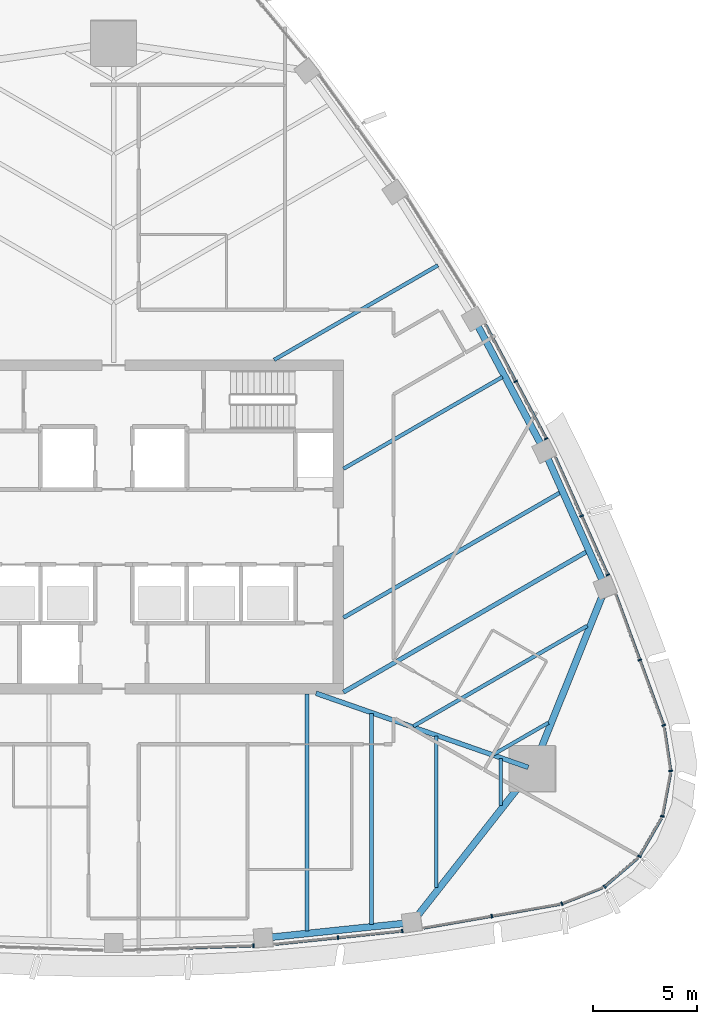
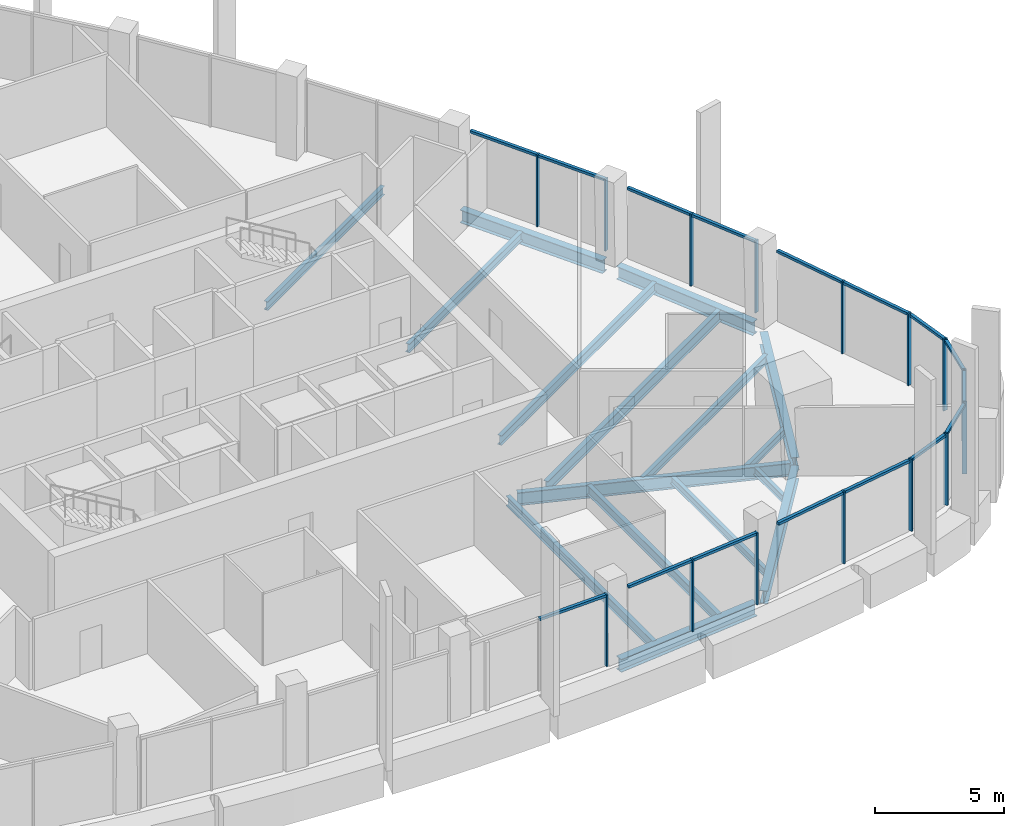
# One storey, part 4 of 19: 31 members, 16 beams, 11 elements without a shape of their own.
"""IFC4 building model written with IfcOpenShell, lengths in metres."""

from ifc_helpers import new_model, si_unit, direction, frame, origin, origin_2d, place, context, subcontext, project, spatial, rectangle, i_section, extrude, material, layer, layer_set, material_profile, profile_set, type_object, element, aggregate, save


model = new_model("IFC4")

# Units and contexts
model_context = context("Model", 3, precision=1e-05, world=origin(), true_north=direction((0.0, 1.0)))
body_context = subcontext(model_context, "Body", "Model", "MODEL_VIEW")
ifc_project = project(units=[si_unit("LENGTHUNIT", "METRE"), si_unit("AREAUNIT", "SQUARE_METRE"), si_unit("VOLUMEUNIT", "CUBIC_METRE"), si_unit("PLANEANGLEUNIT", "RADIAN"), si_unit("MASSUNIT", "GRAM", prefix="KILO")], contexts=[model_context])

# Site, building, storey
site_placement = place(None, origin())
site = spatial("IfcSite", under=ifc_project, at=site_placement, CompositionType="ELEMENT")
building_placement = place(site_placement, origin())
building = spatial("IfcBuilding", under=site, at=building_placement, Name="Sierra Prisma Convention Tower", CompositionType="ELEMENT")
storey_placement = place(building_placement, frame((0.0, 0.0, 311.0)))
storey = spatial("IfcBuildingStorey", under=building, at=storey_placement, Name="L71", CompositionType="ELEMENT", Elevation=311.0)

# Curtain wall, member
ifc_material_1 = material(Name="Aluminium and glass curtain wall", Category="aluminium")
ifc_layer = layer(ifc_material_1, 0.179931640625)
ifc_layer_set = layer_set([ifc_layer], Name="CW-1 Plain shaft curtain wall")
curtain_wall_type = type_object("IfcCurtainWallType", Name="CW-1 Plain shaft curtain wall", PredefinedType="NOTDEFINED", material=ifc_layer_set)
curtain_wall_1_placement = place(storey_placement, origin())
curtain_wall_1 = element("IfcCurtainWall", 1, at=curtain_wall_1_placement, inside=storey, type_object=curtain_wall_type, Name="CW-1 S4 L71", PredefinedType="NOTDEFINED")
ifc_material_2 = material(Name="Aluminium 6063-T6 bronze anodised", Category="aluminium")
ifc_material_profile_1 = material_profile(ifc_material_2, rectangle(XDim=0.179931640625, YDim=0.070068359375, at=origin_2d()), Name="ALU MULLION 70x180")
ifc_profile_set_1 = profile_set([ifc_material_profile_1], Name="Aluminium 6063-T6 bronze anodised")
member_type_1 = type_object("IfcMemberType", Name="CW mullion bronze", PredefinedType="MULLION", material=ifc_profile_set_1)
member_1_placement = place(storey_placement, frame((6.69091796875, -20.047607421875, 0.0), z_axis=(0.0, 0.0, 1.0), x_axis=(-0.034510842539, 0.999404323458, 0.0)))
member_1 = element("IfcMember", 2, at=member_1_placement, type_object=member_type_1, Name="CW-1 mullion S4.3", PredefinedType="MULLION", context=body_context, shape_type="SweptSolid", body=[
    extrude(rectangle(XDim=0.179931640625, YDim=0.070068359375, at=origin_2d()), origin(), (0.0, 0.0, 1.0), 3.39990234375),
])

# Curtain wall, members
curtain_wall_2_placement = place(storey_placement, origin())
curtain_wall_2 = element("IfcCurtainWall", 3, at=curtain_wall_2_placement, inside=storey, type_object=curtain_wall_type, Name="CW-1 S5 L71", PredefinedType="NOTDEFINED")
member_2_placement = place(storey_placement, frame((10.74267578125, -19.660888671875, 0.0), z_axis=(0.0, 0.0, 1.0), x_axis=(-0.103368118187, 0.994643168248, 0.0)))
member_2 = element("IfcMember", 4, at=member_2_placement, type_object=member_type_1, Name="CW-1 mullion S5.2", PredefinedType="MULLION", context=body_context, shape_type="SweptSolid", body=[
    extrude(rectangle(XDim=0.179931640625, YDim=0.070068359375, at=origin_2d()), origin(), (0.0, 0.0, 1.0), 3.39990234375),
])
member_3_placement = place(storey_placement, frame((13.815185546875, -19.341552734375, 0.0), z_axis=(0.0, 0.0, 1.0), x_axis=(-0.103368118187, 0.994643168248, 0.0)))
member_3 = element("IfcMember", 5, at=member_3_placement, type_object=member_type_1, Name="CW-1 mullion S5.3", PredefinedType="MULLION", context=body_context, shape_type="SweptSolid", body=[
    extrude(rectangle(XDim=0.179931640625, YDim=0.070068359375, at=origin_2d()), origin(), (0.0, 0.0, 1.0), 3.39990234375),
])

# Curtain wall, member
curtain_wall_3_placement = place(storey_placement, origin())
curtain_wall_3 = element("IfcCurtainWall", 6, at=curtain_wall_3_placement, inside=storey, type_object=curtain_wall_type, Name="CW-1 S6 L71", PredefinedType="NOTDEFINED")
member_4_placement = place(storey_placement, frame((18.105224609375, -18.630859375, 0.0), z_axis=(0.0, 0.0, 1.0), x_axis=(-0.171732948843, 0.985143539938, 0.0)))
member_4 = element("IfcMember", 7, at=member_4_placement, type_object=member_type_1, Name="CW-1 mullion S6.2", PredefinedType="MULLION", context=body_context, shape_type="SweptSolid", body=[
    extrude(rectangle(XDim=0.179931640625, YDim=0.070068359375, at=origin_2d()), origin(), (0.0, 0.0, 1.0), 3.39990234375),
])

curtain_wall_4_placement = place(storey_placement, origin())
curtain_wall_4 = element("IfcCurtainWall", 8, at=curtain_wall_4_placement, inside=storey, type_object=curtain_wall_type, Name="CW-1 SE1 L71", PredefinedType="NOTDEFINED")
member_5_placement = place(storey_placement, frame((21.45849609375, -18.0390625, 0.0), z_axis=(0.0, 0.0, 1.0), x_axis=(-0.366388331574, 0.930462030653, 0.0)))
member_5 = element("IfcMember", 9, at=member_5_placement, type_object=member_type_1, Name="CW-1 mullion SE1.1", PredefinedType="MULLION", context=body_context, shape_type="SweptSolid", body=[
    extrude(rectangle(XDim=0.179931640625, YDim=0.070068359375, at=origin_2d()), origin(), (0.0, 0.0, 1.0), 3.39990234375),
])

curtain_wall_5_placement = place(storey_placement, origin())
curtain_wall_5 = element("IfcCurtainWall", 10, at=curtain_wall_5_placement, inside=storey, type_object=curtain_wall_type, Name="CW-1 SE2 L71", PredefinedType="NOTDEFINED")
member_6_placement = place(storey_placement, frame((23.5087890625, -17.219482421875, 0.0), z_axis=(0.0, 0.0, 1.0), x_axis=(-0.652713791591, 0.757604584375, 0.0)))
member_6 = element("IfcMember", 11, at=member_6_placement, type_object=member_type_1, Name="CW-1 mullion SE2.1", PredefinedType="MULLION", context=body_context, shape_type="SweptSolid", body=[
    extrude(rectangle(XDim=0.179931640625, YDim=0.070068359375, at=origin_2d()), origin(), (0.0, 0.0, 1.0), 3.39990234375),
])

curtain_wall_6_placement = place(storey_placement, origin())
curtain_wall_6 = element("IfcCurtainWall", 12, at=curtain_wall_6_placement, inside=storey, type_object=curtain_wall_type, Name="CW-1 SE3 L71", PredefinedType="NOTDEFINED")
member_7_placement = place(storey_placement, frame((25.173828125, -15.76953125, 0.0), z_axis=(0.0, 0.0, 1.0), x_axis=(-0.866025403784, 0.5, 0.0)))
member_7 = element("IfcMember", 13, at=member_7_placement, type_object=member_type_1, Name="CW-1 mullion SE3.1", PredefinedType="MULLION", context=body_context, shape_type="SweptSolid", body=[
    extrude(rectangle(XDim=0.179931640625, YDim=0.070068359375, at=origin_2d()), origin(), (0.0, 0.0, 1.0), 3.39990234375),
])

curtain_wall_7_placement = place(storey_placement, origin())
curtain_wall_7 = element("IfcCurtainWall", 14, at=curtain_wall_7_placement, inside=storey, type_object=curtain_wall_type, Name="CW-1 SE4 L71", PredefinedType="NOTDEFINED")
member_8_placement = place(storey_placement, frame((26.267822265625, -13.851806640625, 0.0), z_axis=(0.0, 0.0, 1.0), x_axis=(-0.982461711888, 0.186464432731, 0.0)))
member_8 = element("IfcMember", 15, at=member_8_placement, type_object=member_type_1, Name="CW-1 mullion SE4.1", PredefinedType="MULLION", context=body_context, shape_type="SweptSolid", body=[
    extrude(rectangle(XDim=0.179931640625, YDim=0.070068359375, at=origin_2d()), origin(), (0.0, 0.0, 1.0), 3.39990234375),
])

curtain_wall_8_placement = place(storey_placement, origin())
curtain_wall_8 = element("IfcCurtainWall", 16, at=curtain_wall_8_placement, inside=storey, type_object=curtain_wall_type, Name="CW-1 SE5 L71", PredefinedType="NOTDEFINED")
member_9_placement = place(storey_placement, frame((26.668212890625, -11.680419921875, 0.0), z_axis=(0.0, 0.0, 1.0), x_axis=(-0.988997921589, -0.147929412533, 0.0)))
member_9 = element("IfcMember", 17, at=member_9_placement, type_object=member_type_1, Name="CW-1 mullion SE5.1", PredefinedType="MULLION", context=body_context, shape_type="SweptSolid", body=[
    extrude(rectangle(XDim=0.179931640625, YDim=0.070068359375, at=origin_2d()), origin(), (0.0, 0.0, 1.0), 3.39990234375),
])

# Curtain wall, members
curtain_wall_9_placement = place(storey_placement, origin())
curtain_wall_9 = element("IfcCurtainWall", 18, at=curtain_wall_9_placement, inside=storey, type_object=curtain_wall_type, Name="CW-1 NE1 L71", PredefinedType="NOTDEFINED")
member_10_placement = place(storey_placement, frame((26.33447265625, -9.49658203125, 0.0), z_axis=(0.0, 0.0, 1.0), x_axis=(-0.939025806382, -0.343846673604, 0.0)))
member_10 = element("IfcMember", 19, at=member_10_placement, type_object=member_type_1, Name="CW-1 mullion NE1.1", PredefinedType="MULLION", context=body_context, shape_type="SweptSolid", body=[
    extrude(rectangle(XDim=0.179931640625, YDim=0.070068359375, at=origin_2d()), origin(), (0.0, 0.0, 1.0), 3.39990234375),
])
member_11_placement = place(storey_placement, frame((25.187255859375, -6.3642578125, 0.0), z_axis=(0.0, 0.0, 1.0), x_axis=(-0.939025806382, -0.343846673604, 0.0)))
member_11 = element("IfcMember", 20, at=member_11_placement, type_object=member_type_1, Name="CW-1 mullion NE1.2", PredefinedType="MULLION", context=body_context, shape_type="SweptSolid", body=[
    extrude(rectangle(XDim=0.179931640625, YDim=0.070068359375, at=origin_2d()), origin(), (0.0, 0.0, 1.0), 3.39990234375),
])

curtain_wall_10_placement = place(storey_placement, origin())
curtain_wall_10 = element("IfcCurtainWall", 21, at=curtain_wall_10_placement, inside=storey, type_object=curtain_wall_type, Name="CW-1 NE2 L71", PredefinedType="NOTDEFINED")
member_12_placement = place(storey_placement, frame((23.657958984375, -2.293701171875, 0.0), z_axis=(0.0, 0.0, 1.0), x_axis=(-0.913070310497, -0.407802167832, 0.0)))
member_12 = element("IfcMember", 22, at=member_12_placement, type_object=member_type_1, Name="CW-1 mullion NE2.1", PredefinedType="MULLION", context=body_context, shape_type="SweptSolid", body=[
    extrude(rectangle(XDim=0.179931640625, YDim=0.070068359375, at=origin_2d()), origin(), (0.0, 0.0, 1.0), 3.39990234375),
])
member_13_placement = place(storey_placement, frame((22.398193359375, 0.527099609375, 0.0), z_axis=(0.0, 0.0, 1.0), x_axis=(-0.913070310497, -0.407802167832, 0.0)))
member_13 = element("IfcMember", 23, at=member_13_placement, type_object=member_type_1, Name="CW-1 mullion NE2.2", PredefinedType="MULLION", context=body_context, shape_type="SweptSolid", body=[
    extrude(rectangle(XDim=0.179931640625, YDim=0.070068359375, at=origin_2d()), origin(), (0.0, 0.0, 1.0), 3.39990234375),
])

curtain_wall_11_placement = place(storey_placement, origin())
curtain_wall_11 = element("IfcCurtainWall", 24, at=curtain_wall_11_placement, inside=storey, type_object=curtain_wall_type, Name="CW-1 NE3 L71", PredefinedType="NOTDEFINED")
member_14_placement = place(storey_placement, frame((20.70703125, 4.229248046875, 0.0), z_axis=(0.0, 0.0, 1.0), x_axis=(-0.882764954036, -0.469814895384, 0.0)))
member_14 = element("IfcMember", 25, at=member_14_placement, type_object=member_type_1, Name="CW-1 mullion NE3.1", PredefinedType="MULLION", context=body_context, shape_type="SweptSolid", body=[
    extrude(rectangle(XDim=0.179931640625, YDim=0.070068359375, at=origin_2d()), origin(), (0.0, 0.0, 1.0), 3.39990234375),
])
member_15_placement = place(storey_placement, frame((19.248291015625, 6.97021484375, 0.0), z_axis=(0.0, 0.0, 1.0), x_axis=(-0.882764954036, -0.469814895384, 0.0)))
member_15 = element("IfcMember", 26, at=member_15_placement, type_object=member_type_1, Name="CW-1 mullion NE3.2", PredefinedType="MULLION", context=body_context, shape_type="SweptSolid", body=[
    extrude(rectangle(XDim=0.179931640625, YDim=0.070068359375, at=origin_2d()), origin(), (0.0, 0.0, 1.0), 3.39990234375),
])

# Member
ifc_material_3 = material(Name="Aluminium 6063-T6 bronze anodised", Category="aluminium")
ifc_material_profile_2 = material_profile(ifc_material_3, rectangle(XDim=0.139892578125, YDim=0.1201171875, at=origin_2d()), Name="ALU TRANSOM 120x140")
ifc_profile_set_2 = profile_set([ifc_material_profile_2], Name="Aluminium 6063-T6 bronze anodised")
member_type_2 = type_object("IfcMemberType", Name="CW transom bronze", PredefinedType="USERDEFINED", material=ifc_profile_set_2)
member_16_placement = place(storey_placement, frame((3.622802734375, -20.153564453125, 3.340087890625), z_axis=(0.999404374129, 0.034509375121, 0.0), x_axis=(-0.034509375121, 0.999404374129, 0.0)))
member_16 = element("IfcMember", 27, at=member_16_placement, type_object=member_type_2, Name="CW-1 transom S4.2", ObjectType="TRANSOM", PredefinedType="USERDEFINED", context=body_context, shape_type="SweptSolid", body=[
    extrude(rectangle(XDim=0.139892578125, YDim=0.1201171875, at=origin_2d()), origin(), (0.0, 0.0, 1.0), 3.034912109375),
])

aggregate(curtain_wall_1, [member_1, member_16])

member_17_placement = place(storey_placement, frame((7.704833984375, -19.9765625, 3.340087890625), z_axis=(0.994645457382, 0.103346088987, 0.0), x_axis=(-0.103346088987, 0.994645457382, 0.0)))
member_17 = element("IfcMember", 28, at=member_17_placement, type_object=member_type_2, Name="CW-1 transom S5.1", ObjectType="TRANSOM", PredefinedType="USERDEFINED", context=body_context, shape_type="SweptSolid", body=[
    extrude(rectangle(XDim=0.139892578125, YDim=0.1201171875, at=origin_2d()), origin(), (0.0, 0.0, 1.0), 3.01904296875),
])

member_18_placement = place(storey_placement, frame((10.77734375, -19.6572265625, 3.340087890625), z_axis=(0.994645457382, 0.103346088987, 0.0), x_axis=(-0.103346088987, 0.994645457382, 0.0)))
member_18 = element("IfcMember", 29, at=member_18_placement, type_object=member_type_2, Name="CW-1 transom S5.2", ObjectType="TRANSOM", PredefinedType="USERDEFINED", context=body_context, shape_type="SweptSolid", body=[
    extrude(rectangle(XDim=0.139892578125, YDim=0.1201171875, at=origin_2d()), origin(), (0.0, 0.0, 1.0), 3.01904296875),
])

aggregate(curtain_wall_2, [member_2, member_3, member_17, member_18])

member_19_placement = place(storey_placement, frame((14.853271484375, -19.19775390625, 3.340087890625), z_axis=(0.985135948109, 0.17177649357, 0.0), x_axis=(-0.17177649357, 0.985135948109, 0.0)))
member_19 = element("IfcMember", 30, at=member_19_placement, type_object=member_type_2, Name="CW-1 transom S6.1", ObjectType="TRANSOM", PredefinedType="USERDEFINED", context=body_context, shape_type="SweptSolid", body=[
    extrude(rectangle(XDim=0.139892578125, YDim=0.1201171875, at=origin_2d()), origin(), (0.0, 0.0, 1.0), 3.26611328125),
])

member_20_placement = place(storey_placement, frame((18.1396484375, -18.624755859375, 3.340087890625), z_axis=(0.985148595108, 0.171703947413, 0.0), x_axis=(-0.171703947413, 0.985148595108, 0.0)))
member_20 = element("IfcMember", 31, at=member_20_placement, type_object=member_type_2, Name="CW-1 transom S6.2", ObjectType="TRANSOM", PredefinedType="USERDEFINED", context=body_context, shape_type="SweptSolid", body=[
    extrude(rectangle(XDim=0.139892578125, YDim=0.1201171875, at=origin_2d()), origin(), (0.0, 0.0, 1.0), 3.26611328125),
])

aggregate(curtain_wall_3, [member_4, member_19, member_20])

member_21_placement = place(storey_placement, frame((21.4912109375, -18.026123046875, 3.340087890625), z_axis=(0.930464454882, 0.366382175059, 0.0), x_axis=(-0.366382175059, 0.930464454882, 0.0)))
member_21 = element("IfcMember", 32, at=member_21_placement, type_object=member_type_2, Name="CW-1 transom SE1.1", ObjectType="TRANSOM", PredefinedType="USERDEFINED", context=body_context, shape_type="SweptSolid", body=[
    extrude(rectangle(XDim=0.139892578125, YDim=0.1201171875, at=origin_2d()), origin(), (0.0, 0.0, 1.0), 2.069580078125),
])

aggregate(curtain_wall_4, [member_5, member_21])

member_22_placement = place(storey_placement, frame((23.53515625, -17.196533203125, 3.340087890625), z_axis=(0.757588949095, 0.652731939014, 0.0), x_axis=(-0.652731939014, 0.757588949095, 0.0)))
member_22 = element("IfcMember", 33, at=member_22_placement, type_object=member_type_2, Name="CW-1 transom SE2.1", ObjectType="TRANSOM", PredefinedType="USERDEFINED", context=body_context, shape_type="SweptSolid", body=[
    extrude(rectangle(XDim=0.139892578125, YDim=0.1201171875, at=origin_2d()), origin(), (0.0, 0.0, 1.0), 2.06982421875),
])

aggregate(curtain_wall_5, [member_6, member_22])

member_23_placement = place(storey_placement, frame((25.19140625, -15.7392578125, 3.340087890625), z_axis=(0.500008344384, 0.866020586098, 0.0), x_axis=(-0.866020586098, 0.500008344384, 0.0)))
member_23 = element("IfcMember", 34, at=member_23_placement, type_object=member_type_2, Name="CW-1 transom SE3.1", ObjectType="TRANSOM", PredefinedType="USERDEFINED", context=body_context, shape_type="SweptSolid", body=[
    extrude(rectangle(XDim=0.139892578125, YDim=0.1201171875, at=origin_2d()), origin(), (0.0, 0.0, 1.0), 2.06982421875),
])

aggregate(curtain_wall_6, [member_7, member_23])

member_24_placement = place(storey_placement, frame((26.2744140625, -13.8173828125, 3.340087890625), z_axis=(0.186374877338, 0.982478704653, 0.0), x_axis=(-0.982478704653, 0.186374877338, 0.0)))
member_24 = element("IfcMember", 35, at=member_24_placement, type_object=member_type_2, Name="CW-1 transom SE4.1", ObjectType="TRANSOM", PredefinedType="USERDEFINED", context=body_context, shape_type="SweptSolid", body=[
    extrude(rectangle(XDim=0.139892578125, YDim=0.1201171875, at=origin_2d()), origin(), (0.0, 0.0, 1.0), 2.06982421875),
])

aggregate(curtain_wall_7, [member_8, member_24])

member_25_placement = place(storey_placement, frame((26.662841796875, -11.645751953125, 3.340087890625), z_axis=(-0.147925119151, 0.988998563763, 0.0), x_axis=(-0.988998563763, -0.147925119151, 0.0)))
member_25 = element("IfcMember", 36, at=member_25_placement, type_object=member_type_2, Name="CW-1 transom SE5.1", ObjectType="TRANSOM", PredefinedType="USERDEFINED", context=body_context, shape_type="SweptSolid", body=[
    extrude(rectangle(XDim=0.139892578125, YDim=0.1201171875, at=origin_2d()), origin(), (0.0, 0.0, 1.0), 2.069580078125),
])

aggregate(curtain_wall_8, [member_9, member_25])

member_26_placement = place(storey_placement, frame((26.322265625, -9.4638671875, 3.340087890625), z_axis=(-0.34378895652, 0.939046938856, 0.0), x_axis=(-0.939046938856, -0.34378895652, 0.0)))
member_26 = element("IfcMember", 37, at=member_26_placement, type_object=member_type_2, Name="CW-1 transom NE1.1", ObjectType="TRANSOM", PredefinedType="USERDEFINED", context=body_context, shape_type="SweptSolid", body=[
    extrude(rectangle(XDim=0.139892578125, YDim=0.1201171875, at=origin_2d()), origin(), (0.0, 0.0, 1.0), 3.265869140625),
])

member_27_placement = place(storey_placement, frame((25.17529296875, -6.331298828125, 3.340087890625), z_axis=(-0.343854871841, 0.939022804362, 0.0), x_axis=(-0.939022804362, -0.343854871841, 0.0)))
member_27 = element("IfcMember", 38, at=member_27_placement, type_object=member_type_2, Name="CW-1 transom NE1.2", ObjectType="TRANSOM", PredefinedType="USERDEFINED", context=body_context, shape_type="SweptSolid", body=[
    extrude(rectangle(XDim=0.139892578125, YDim=0.1201171875, at=origin_2d()), origin(), (0.0, 0.0, 1.0), 3.26611328125),
])

aggregate(curtain_wall_9, [member_10, member_11, member_26, member_27])

member_28_placement = place(storey_placement, frame((23.643798828125, -2.26171875, 3.340087890625), z_axis=(-0.407780867068, 0.913079823703, 0.0), x_axis=(-0.913079823703, -0.407780867068, 0.0)))
member_28 = element("IfcMember", 39, at=member_28_placement, type_object=member_type_2, Name="CW-1 transom NE2.1", ObjectType="TRANSOM", PredefinedType="USERDEFINED", context=body_context, shape_type="SweptSolid", body=[
    extrude(rectangle(XDim=0.139892578125, YDim=0.1201171875, at=origin_2d()), origin(), (0.0, 0.0, 1.0), 3.019287109375),
])

member_29_placement = place(storey_placement, frame((22.384033203125, 0.558837890625, 3.340087890625), z_axis=(-0.407848278552, 0.913049714792, 0.0), x_axis=(-0.913049714792, -0.407848278552, 0.0)))
member_29 = element("IfcMember", 40, at=member_29_placement, type_object=member_type_2, Name="CW-1 transom NE2.2", ObjectType="TRANSOM", PredefinedType="USERDEFINED", context=body_context, shape_type="SweptSolid", body=[
    extrude(rectangle(XDim=0.139892578125, YDim=0.1201171875, at=origin_2d()), origin(), (0.0, 0.0, 1.0), 3.019287109375),
])

aggregate(curtain_wall_10, [member_12, member_13, member_28, member_29])

member_30_placement = place(storey_placement, frame((20.690673828125, 4.260009765625, 3.340087890625), z_axis=(-0.469786395806, 0.88278012116, 0.0), x_axis=(-0.88278012116, -0.469786395806, 0.0)))
member_30 = element("IfcMember", 41, at=member_30_placement, type_object=member_type_2, Name="CW-1 transom NE3.1", ObjectType="TRANSOM", PredefinedType="USERDEFINED", context=body_context, shape_type="SweptSolid", body=[
    extrude(rectangle(XDim=0.139892578125, YDim=0.1201171875, at=origin_2d()), origin(), (0.0, 0.0, 1.0), 3.034912109375),
])

member_31_placement = place(storey_placement, frame((19.23193359375, 7.0009765625, 3.340087890625), z_axis=(-0.469786395806, 0.88278012116, 0.0), x_axis=(-0.88278012116, -0.469786395806, 0.0)))
member_31 = element("IfcMember", 42, at=member_31_placement, type_object=member_type_2, Name="CW-1 transom NE3.2", ObjectType="TRANSOM", PredefinedType="USERDEFINED", context=body_context, shape_type="SweptSolid", body=[
    extrude(rectangle(XDim=0.139892578125, YDim=0.1201171875, at=origin_2d()), origin(), (0.0, 0.0, 1.0), 3.034912109375),
])

aggregate(curtain_wall_11, [member_14, member_15, member_30, member_31])

# Beams
ifc_material_4 = material(Name="Steel ASTM A992 Gr 50", Category="steel")
ifc_material_profile_3 = material_profile(ifc_material_4, i_section(OverallWidth=0.172119140625, OverallDepth=0.35791015625, WebThickness=0.0078125, FlangeThickness=0.01318359375, at=origin_2d()), Name="W360x57")
ifc_profile_set_3 = profile_set([ifc_material_profile_3], Name="Steel ASTM A992 Gr 50")
beam_type_1 = type_object("IfcBeamType", Name="Floor joist W360x57", PredefinedType="JOIST", material=ifc_profile_set_3)
beam_1_placement = place(storey_placement, frame((15.4365234375, -17.2705078125, -0.3291015625), z_axis=(0.0, 1.0, 0.0), x_axis=(-1.0, 0.0, 0.0)))
element("IfcBeam", 43, at=beam_1_placement, inside=storey, type_object=beam_type_1, Name="Floor joist L71 S12", PredefinedType="JOIST", context=body_context, shape_type="SweptSolid", body=[
    extrude(i_section(OverallWidth=0.172119140625, OverallDepth=0.35791015625, WebThickness=0.0078125, FlangeThickness=0.01318359375, at=origin_2d()), origin(), (0.0, 0.0, 1.0), 7.253173828125),
])
beam_2_placement = place(storey_placement, frame((18.523681640625, -13.338623046875, -0.3291015625), z_axis=(0.0, 1.0, 0.0), x_axis=(-1.0, 0.0, 0.0)))
element("IfcBeam", 44, at=beam_2_placement, inside=storey, type_object=beam_type_1, Name="Floor joist L71 S13", PredefinedType="JOIST", context=body_context, shape_type="SweptSolid", body=[
    extrude(i_section(OverallWidth=0.172119140625, OverallDepth=0.35791015625, WebThickness=0.0078125, FlangeThickness=0.01318359375, at=origin_2d()), origin(), (0.0, 0.0, 1.0), 2.2431640625),
])
beam_3_placement = place(storey_placement, frame((20.8134765625, -9.37255859375, -0.3291015625), z_axis=(-0.865997239347, -0.500048779063, 0.0), x_axis=(0.500048779063, -0.865997239347, 0.0)))
element("IfcBeam", 45, at=beam_3_placement, inside=storey, type_object=beam_type_1, Name="Floor joist L71 NE01", PredefinedType="JOIST", context=body_context, shape_type="SweptSolid", body=[
    extrude(i_section(OverallWidth=0.172119140625, OverallDepth=0.35791015625, WebThickness=0.0078125, FlangeThickness=0.01318359375, at=origin_2d()), origin(), (0.0, 0.0, 1.0), 3.022216796875),
])
ifc_material_5 = material(Name="Steel ASTM A992 Gr 50", Category="steel")
ifc_material_profile_4 = material_profile(ifc_material_5, i_section(OverallWidth=0.177978515625, OverallDepth=0.406982421875, WebThickness=0.0078125, FlangeThickness=0.0126953125, at=origin_2d()), Name="W410x60")
ifc_profile_set_4 = profile_set([ifc_material_profile_4], Name="Steel ASTM A992 Gr 50")
beam_type_2 = type_object("IfcBeamType", Name="Floor joist W410x60", PredefinedType="JOIST", material=ifc_profile_set_4)
beam_4_placement = place(storey_placement, frame((22.675048828125, -4.733154296875, -0.353515625), z_axis=(-0.866029540839, -0.499992834343, 0.0), x_axis=(0.499992834343, -0.866029540839, 0.0)))
element("IfcBeam", 46, at=beam_4_placement, inside=storey, type_object=beam_type_2, Name="Floor joist L71 NE02", PredefinedType="JOIST", context=body_context, shape_type="SweptSolid", body=[
    extrude(i_section(OverallWidth=0.177978515625, OverallDepth=0.406982421875, WebThickness=0.0078125, FlangeThickness=0.0126953125, at=origin_2d()), origin(), (0.0, 0.0, 1.0), 9.614013671875),
])
beam_5_placement = place(storey_placement, frame((18.612548828125, 7.180908203125, -0.353515625), z_axis=(-0.866029718223, -0.499992527098, 0.0), x_axis=(0.499992527098, -0.866029718223, 0.0)))
element("IfcBeam", 47, at=beam_5_placement, inside=storey, type_object=beam_type_2, Name="Floor joist L71 NE06", PredefinedType="JOIST", context=body_context, shape_type="SweptSolid", body=[
    extrude(i_section(OverallWidth=0.177978515625, OverallDepth=0.406982421875, WebThickness=0.0078125, FlangeThickness=0.0126953125, at=origin_2d()), origin(), (0.0, 0.0, 1.0), 8.790283203125),
])
beam_6_placement = place(storey_placement, frame((15.525146484375, 12.5283203125, -0.353515625), z_axis=(-0.866024875567, -0.500000914898, 0.0), x_axis=(0.500000914898, -0.866024875567, 0.0)))
element("IfcBeam", 48, at=beam_6_placement, inside=storey, type_object=beam_type_2, Name="Floor joist L71 NE08", PredefinedType="JOIST", context=body_context, shape_type="SweptSolid", body=[
    extrude(i_section(OverallWidth=0.177978515625, OverallDepth=0.406982421875, WebThickness=0.0078125, FlangeThickness=0.0126953125, at=origin_2d()), origin(), (0.0, 0.0, 1.0), 9.056640625),
])
ifc_material_6 = material(Name="Steel ASTM A992 Gr 50", Category="steel")
ifc_material_profile_5 = material_profile(ifc_material_6, i_section(OverallWidth=0.18994140625, OverallDepth=0.45703125, WebThickness=0.009033203125, FlangeThickness=0.014404296875, at=origin_2d()), Name="W460x74")
ifc_profile_set_5 = profile_set([ifc_material_profile_5], Name="Steel ASTM A992 Gr 50")
beam_type_3 = type_object("IfcBeamType", Name="Floor joist W460x74", PredefinedType="JOIST", material=ifc_profile_set_5)
beam_7_placement = place(storey_placement, frame((9.261962890625, -19.349853515625, -0.37841796875), z_axis=(0.0, 1.0, 0.0), x_axis=(-1.0, 0.0, 0.0)))
element("IfcBeam", 49, at=beam_7_placement, inside=storey, type_object=beam_type_3, Name="Floor joist L71 S10", PredefinedType="JOIST", context=body_context, shape_type="SweptSolid", body=[
    extrude(i_section(OverallWidth=0.18994140625, OverallDepth=0.45703125, WebThickness=0.009033203125, FlangeThickness=0.014404296875, at=origin_2d()), origin(), (0.0, 0.0, 1.0), 11.349853515625),
])
beam_8_placement = place(storey_placement, frame((12.34912109375, -19.02880859375, -0.37841796875), z_axis=(0.0, 1.0, 0.0), x_axis=(-1.0, 0.0, 0.0)))
element("IfcBeam", 50, at=beam_8_placement, inside=storey, type_object=beam_type_3, Name="Floor joist L71 S11", PredefinedType="JOIST", context=body_context, shape_type="SweptSolid", body=[
    extrude(i_section(OverallWidth=0.18994140625, OverallDepth=0.45703125, WebThickness=0.009033203125, FlangeThickness=0.014404296875, at=origin_2d()), origin(), (0.0, 0.0, 1.0), 10.08984375),
])
beam_9_placement = place(storey_placement, frame((21.388427734375, 1.65380859375, -0.37841796875), z_axis=(-0.86603273, -0.499987310408, 0.0), x_axis=(0.499987310408, -0.86603273, 0.0)))
element("IfcBeam", 51, at=beam_9_placement, inside=storey, type_object=beam_type_3, Name="Floor joist L71 NE04", PredefinedType="JOIST", context=body_context, shape_type="SweptSolid", body=[
    extrude(i_section(OverallWidth=0.18994140625, OverallDepth=0.45703125, WebThickness=0.009033203125, FlangeThickness=0.014404296875, at=origin_2d()), origin(), (0.0, 0.0, 1.0), 11.995361328125),
])
ifc_material_7 = material(Name="Steel ASTM A992 Gr 50", Category="steel")
ifc_material_profile_6 = material_profile(ifc_material_7, i_section(OverallWidth=0.208984375, OverallDepth=0.532958984375, WebThickness=0.01025390625, FlangeThickness=0.015625, at=origin_2d()), Name="W530x92")
ifc_profile_set_6 = profile_set([ifc_material_profile_6], Name="Steel ASTM A992 Gr 50")
beam_type_4 = type_object("IfcBeamType", Name="Floor joist W530x92", PredefinedType="JOIST", material=ifc_profile_set_6)
beam_10_placement = place(storey_placement, frame((22.654052734375, -1.18017578125, -0.41650390625), z_axis=(-0.866023951231, -0.500002515888, 0.0), x_axis=(0.500002515888, -0.866023951231, 0.0)))
element("IfcBeam", 52, at=beam_10_placement, inside=storey, type_object=beam_type_4, Name="Floor joist L71 NE03", PredefinedType="JOIST", context=body_context, shape_type="SweptSolid", body=[
    extrude(i_section(OverallWidth=0.208984375, OverallDepth=0.532958984375, WebThickness=0.01025390625, FlangeThickness=0.015625, at=origin_2d()), origin(), (0.0, 0.0, 1.0), 13.45703125),
])
ifc_material_8 = material(Name="Steel ASTM A992 Gr 50", Category="steel")
ifc_material_profile_7 = material_profile(ifc_material_8, i_section(OverallWidth=0.22998046875, OverallDepth=0.616943359375, WebThickness=0.01318359375, FlangeThickness=0.022216796875, at=origin_2d()), Name="W610x140")
ifc_profile_set_7 = profile_set([ifc_material_profile_7], Name="Steel ASTM A992 Gr 50")
beam_type_5 = type_object("IfcBeamType", Name="Radial girder W610x140", PredefinedType="BEAM", material=ifc_profile_set_7)
beam_11_placement = place(storey_placement, frame((19.847412109375, -11.509033203125, -0.45849609375), z_axis=(-0.944079532075, 0.329717814376, 0.0), x_axis=(-0.329717814376, -0.944079532075, 0.0)))
element("IfcBeam", 53, at=beam_11_placement, inside=storey, type_object=beam_type_5, Name="Radial girder L71 SE", PredefinedType="BEAM", context=body_context, shape_type="SweptSolid", body=[
    extrude(i_section(OverallWidth=0.22998046875, OverallDepth=0.616943359375, WebThickness=0.01318359375, FlangeThickness=0.022216796875, at=origin_2d()), origin(), (0.0, 0.0, 1.0), 10.762451171875),
])
ifc_material_9 = material(Name="Steel ASTM A992 Gr 50", Category="steel")
ifc_material_profile_8 = material_profile(ifc_material_9, i_section(OverallWidth=0.324951171875, OverallDepth=0.615966796875, WebThickness=0.013916015625, FlangeThickness=0.021484375, at=origin_2d()), Name="W610x174")
ifc_profile_set_8 = profile_set([ifc_material_profile_8], Name="Steel ASTM A992 Gr 50")
beam_type_6 = type_object("IfcBeamType", Name="Spandrel beam W610x174", PredefinedType="BEAM", material=ifc_profile_set_8)
beam_12_placement = place(storey_placement, frame((7.491943359375, -19.64697265625, -0.4580078125), z_axis=(0.994643750939, 0.103362511178, 0.0), x_axis=(-0.103362511178, 0.994643750939, 0.0)))
element("IfcBeam", 54, at=beam_12_placement, inside=storey, type_object=beam_type_6, Name="Spandrel L71-05", PredefinedType="BEAM", context=body_context, shape_type="SweptSolid", body=[
    extrude(i_section(OverallWidth=0.324951171875, OverallDepth=0.615966796875, WebThickness=0.013916015625, FlangeThickness=0.021484375, at=origin_2d()), origin(), (0.0, 0.0, 1.0), 6.50732421875),
])
beam_13_placement = place(storey_placement, frame((14.604736328125, -18.54296875, -0.4580078125), z_axis=(0.61757858219, 0.786509182921, 0.0), x_axis=(-0.786509182921, 0.61757858219, 0.0)))
element("IfcBeam", 55, at=beam_13_placement, inside=storey, type_object=beam_type_6, Name="Spandrel L71-06", PredefinedType="BEAM", context=body_context, shape_type="SweptSolid", body=[
    extrude(i_section(OverallWidth=0.324951171875, OverallDepth=0.615966796875, WebThickness=0.013916015625, FlangeThickness=0.021484375, at=origin_2d()), origin(), (0.0, 0.0, 1.0), 8.565673828125),
])
beam_14_placement = place(storey_placement, frame((20.15576171875, -11.365966796875, -0.4580078125), z_axis=(0.372343977455, 0.928094802514, 0.0), x_axis=(-0.928094802514, 0.372343977455, 0.0)))
element("IfcBeam", 56, at=beam_14_placement, inside=storey, type_object=beam_type_6, Name="Spandrel L71-07", PredefinedType="BEAM", context=body_context, shape_type="SweptSolid", body=[
    extrude(i_section(OverallWidth=0.324951171875, OverallDepth=0.615966796875, WebThickness=0.013916015625, FlangeThickness=0.021484375, at=origin_2d()), origin(), (0.0, 0.0, 1.0), 8.6083984375),
])
for number, where, z_axis, x_axis, name in (
    (57, (23.41455078125, -2.606201171875, -0.4580078125), (-0.407784349018, 0.913078268658, 0.0), (-0.913078268658, -0.407784349018, 0.0), "Spandrel L71-08"),
    (58, (20.470947265625, 3.928466796875, -0.4580078125), (-0.469805227022, 0.882770099552, 0.0), (-0.882770099552, -0.469805227022, 0.0), "Spandrel L71-09"),
):
    element("IfcBeam", number, at=place(storey_placement, frame(where, z_axis=z_axis, x_axis=x_axis)), inside=storey, type_object=beam_type_6, Name=name, PredefinedType="BEAM", context=body_context, shape_type="SweptSolid", body=[
        extrude(i_section(OverallWidth=0.324951171875, OverallDepth=0.615966796875, WebThickness=0.013916015625, FlangeThickness=0.021484375, at=origin_2d()), origin(), (0.0, 0.0, 1.0), 6.50732421875),
    ])

save(model, "model.ifc")
